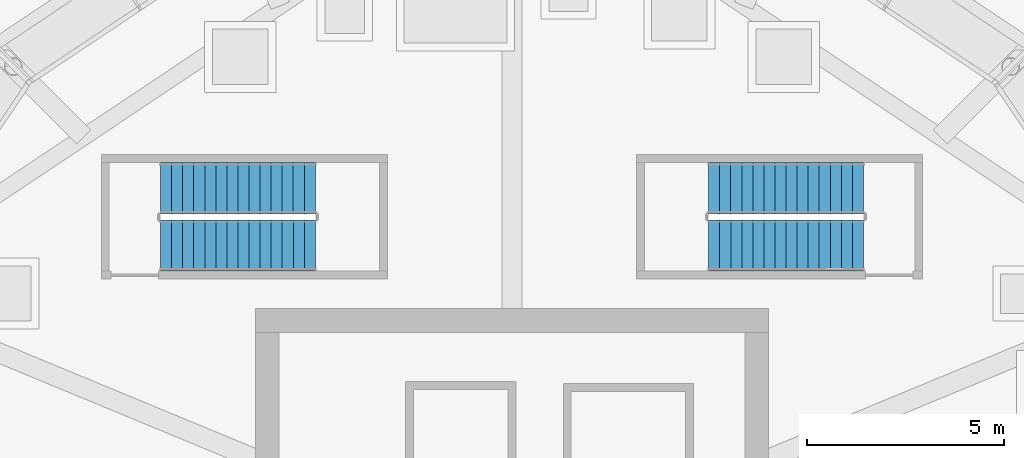
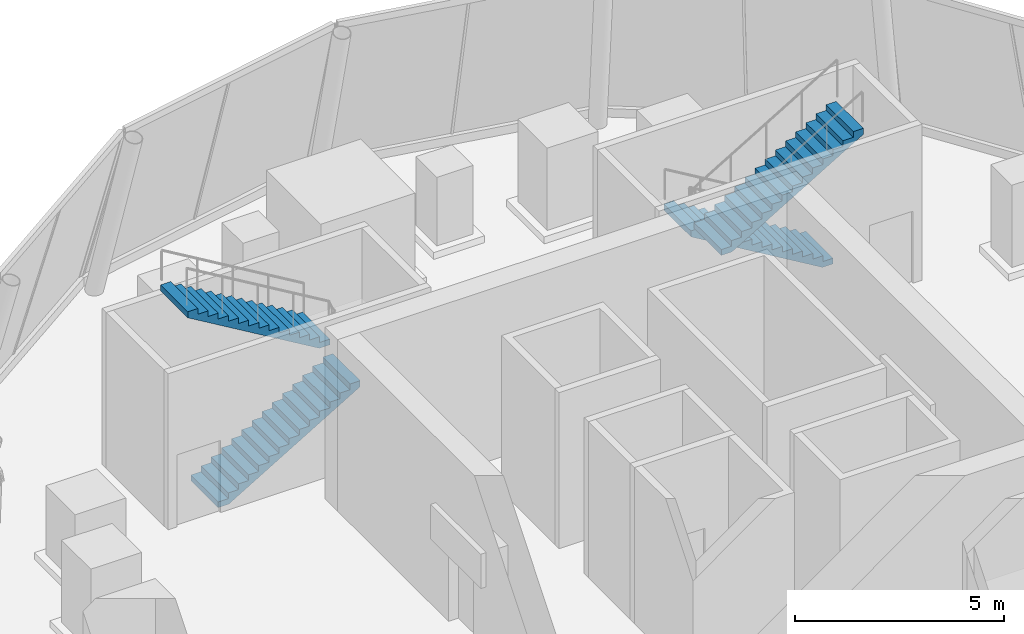
# One storey, part 5 of 7: 4 stair flights, 2 elements without a shape of their own.
"""IFC4 building model written with IfcOpenShell, lengths in metres."""

from ifc_helpers import new_model, si_unit, direction, frame, origin, place, context, subcontext, project, spatial, polyline, outline, extrude, material, type_object, element, aggregate, save


model = new_model("IFC4")

# Units and contexts
model_context = context("Model", 3, precision=1e-05, world=origin(), true_north=direction((0.0, 1.0)))
body_context = subcontext(model_context, "Body", "Model", "MODEL_VIEW")
ifc_project = project(units=[si_unit("LENGTHUNIT", "METRE"), si_unit("AREAUNIT", "SQUARE_METRE"), si_unit("VOLUMEUNIT", "CUBIC_METRE"), si_unit("PLANEANGLEUNIT", "RADIAN"), si_unit("MASSUNIT", "GRAM", prefix="KILO")], contexts=[model_context])

# Site, building, storey
site_placement = place(None, origin())
site = spatial("IfcSite", under=ifc_project, at=site_placement, CompositionType="ELEMENT")
building_placement = place(site_placement, origin())
building = spatial("IfcBuilding", under=site, at=building_placement, Name="Corvane Civic Tower", CompositionType="ELEMENT")
storey_placement = place(building_placement, frame((0.0, 0.0, 387.5)))
storey = spatial("IfcBuildingStorey", under=building, at=storey_placement, Name="L92", CompositionType="ELEMENT", Elevation=387.5)

# Stair, stair flights
ifc_material_1 = material(Name="Concrete C40/50", Category="concrete")
stair_type = type_object("IfcStairType", Name="ST-STAIR-HALFTURN", PredefinedType="HALF_TURN_STAIR", material=ifc_material_1)
stair_1_placement = place(storey_placement, origin())
stair_1 = element("IfcStair", 1, at=stair_1_placement, inside=storey, type_object=stair_type, Name="L92 Exit stair ST1", PredefinedType="HALF_TURN_STAIR")
ifc_material_2 = material(Name="Concrete C40/50", Category="concrete")
stair_flight_type = type_object("IfcStairFlightType", Name="ST-FLIGHT-RC", PredefinedType="STRAIGHT", material=ifc_material_2)
stair_flight_1_placement = place(storey_placement, frame((8.89990234375, 9.550048828125, 0.0), z_axis=(0.0, 0.0, 1.0), x_axis=(-1.0, 0.0, 0.0)))
stair_flight_1 = element("IfcStairFlight", 2, at=stair_flight_1_placement, type_object=stair_flight_type, Name="ST1 flight 1", NumberOfRisers=15, NumberOfTreads=14, PredefinedType="STRAIGHT", RiserHeight=0.166666667, TreadLength=0.28, context=body_context, shape_type="SweptSolid", body=[
    extrude(outline(polyline([(0.0, 0.0), (0.0, 0.166748046875), (0.280029296875, 0.166748046875), (0.280029296875, 0.333251953125), (0.56005859375, 0.333251953125), (0.56005859375, 0.5), (0.840087890625, 0.5), (0.840087890625, 0.666748046875), (1.1201171875, 0.666748046875), (1.1201171875, 0.833251953125), (1.39990234375, 0.833251953125), (1.39990234375, 1.0), (1.679931640625, 1.0), (1.679931640625, 1.166748046875), (1.9599609375, 1.166748046875), (1.9599609375, 1.333251953125), (2.239990234375, 1.333251953125), (2.239990234375, 1.5), (2.52001953125, 1.5), (2.52001953125, 1.666748046875), (2.800048828125, 1.666748046875), (2.800048828125, 1.833251953125), (3.080078125, 1.833251953125), (3.080078125, 2.0), (3.360107421875, 2.0), (3.360107421875, 2.166748046875), (3.639892578125, 2.166748046875), (3.639892578125, 2.333251953125), (3.919921875, 2.333251953125), (3.919921875, 2.5), (3.919921875, 2.158935546875), (0.29296875, 0.0), (0.0, 0.0)])), frame((0.0, 0.64990234375, 0.0), z_axis=(0.0, -1.0, 0.0), x_axis=(1.0, 0.0, 0.0)), (0.0, 0.0, 1.0), 1.300048828125),
])
stair_flight_2_placement = place(storey_placement, frame((4.97998046875, 8.10009765625, 2.5), z_axis=(0.0, 0.0, 1.0), x_axis=(1.0, 0.0, 0.0)))
stair_flight_2 = element("IfcStairFlight", 3, at=stair_flight_2_placement, type_object=stair_flight_type, Name="ST1 flight 2", NumberOfRisers=15, NumberOfTreads=14, PredefinedType="STRAIGHT", RiserHeight=0.166666667, TreadLength=0.28, context=body_context, shape_type="SweptSolid", body=[
    extrude(outline(polyline([(0.0, 0.0), (0.0, 0.166748046875), (0.280029296875, 0.166748046875), (0.280029296875, 0.333251953125), (0.56005859375, 0.333251953125), (0.56005859375, 0.5), (0.840087890625, 0.5), (0.840087890625, 0.666748046875), (1.1201171875, 0.666748046875), (1.1201171875, 0.833251953125), (1.39990234375, 0.833251953125), (1.39990234375, 1.0), (1.679931640625, 1.0), (1.679931640625, 1.166748046875), (1.9599609375, 1.166748046875), (1.9599609375, 1.333251953125), (2.239990234375, 1.333251953125), (2.239990234375, 1.5), (2.52001953125, 1.5), (2.52001953125, 1.666748046875), (2.800048828125, 1.666748046875), (2.800048828125, 1.833251953125), (3.080078125, 1.833251953125), (3.080078125, 2.0), (3.360107421875, 2.0), (3.360107421875, 2.166748046875), (3.639892578125, 2.166748046875), (3.639892578125, 2.333251953125), (3.919921875, 2.333251953125), (3.919921875, 2.5), (3.919921875, 2.158935546875), (0.29296875, 0.0), (0.0, 0.0)])), frame((0.0, 0.64990234375, 0.0), z_axis=(0.0, -1.0, 0.0), x_axis=(1.0, 0.0, 0.0)), (0.0, 0.0, 1.0), 1.300048828125),
])
aggregate(stair_1, [stair_flight_1, stair_flight_2])

stair_2_placement = place(storey_placement, origin())
stair_2 = element("IfcStair", 4, at=stair_2_placement, inside=storey, type_object=stair_type, Name="L92 Exit stair ST4", PredefinedType="HALF_TURN_STAIR")
stair_flight_3_placement = place(storey_placement, frame((-8.89990234375, 8.10009765625, 0.0), z_axis=(0.0, 0.0, 1.0), x_axis=(1.0, 0.0, 0.0)))
stair_flight_3 = element("IfcStairFlight", 5, at=stair_flight_3_placement, type_object=stair_flight_type, Name="ST4 flight 1", NumberOfRisers=15, NumberOfTreads=14, PredefinedType="STRAIGHT", RiserHeight=0.166666667, TreadLength=0.28, context=body_context, shape_type="SweptSolid", body=[
    extrude(outline(polyline([(0.0, 0.0), (0.0, 0.166748046875), (0.280029296875, 0.166748046875), (0.280029296875, 0.333251953125), (0.56005859375, 0.333251953125), (0.56005859375, 0.5), (0.840087890625, 0.5), (0.840087890625, 0.666748046875), (1.1201171875, 0.666748046875), (1.1201171875, 0.833251953125), (1.39990234375, 0.833251953125), (1.39990234375, 1.0), (1.679931640625, 1.0), (1.679931640625, 1.166748046875), (1.9599609375, 1.166748046875), (1.9599609375, 1.333251953125), (2.239990234375, 1.333251953125), (2.239990234375, 1.5), (2.52001953125, 1.5), (2.52001953125, 1.666748046875), (2.800048828125, 1.666748046875), (2.800048828125, 1.833251953125), (3.080078125, 1.833251953125), (3.080078125, 2.0), (3.360107421875, 2.0), (3.360107421875, 2.166748046875), (3.639892578125, 2.166748046875), (3.639892578125, 2.333251953125), (3.919921875, 2.333251953125), (3.919921875, 2.5), (3.919921875, 2.158935546875), (0.29296875, 0.0), (0.0, 0.0)])), frame((0.0, 0.64990234375, 0.0), z_axis=(0.0, -1.0, 0.0), x_axis=(1.0, 0.0, 0.0)), (0.0, 0.0, 1.0), 1.300048828125),
])
stair_flight_4_placement = place(storey_placement, frame((-4.97998046875, 9.550048828125, 2.5), z_axis=(0.0, 0.0, 1.0), x_axis=(-1.0, 0.0, 0.0)))
stair_flight_4 = element("IfcStairFlight", 6, at=stair_flight_4_placement, type_object=stair_flight_type, Name="ST4 flight 2", NumberOfRisers=15, NumberOfTreads=14, PredefinedType="STRAIGHT", RiserHeight=0.166666667, TreadLength=0.28, context=body_context, shape_type="SweptSolid", body=[
    extrude(outline(polyline([(0.0, 0.0), (0.0, 0.166748046875), (0.280029296875, 0.166748046875), (0.280029296875, 0.333251953125), (0.56005859375, 0.333251953125), (0.56005859375, 0.5), (0.840087890625, 0.5), (0.840087890625, 0.666748046875), (1.1201171875, 0.666748046875), (1.1201171875, 0.833251953125), (1.39990234375, 0.833251953125), (1.39990234375, 1.0), (1.679931640625, 1.0), (1.679931640625, 1.166748046875), (1.9599609375, 1.166748046875), (1.9599609375, 1.333251953125), (2.239990234375, 1.333251953125), (2.239990234375, 1.5), (2.52001953125, 1.5), (2.52001953125, 1.666748046875), (2.800048828125, 1.666748046875), (2.800048828125, 1.833251953125), (3.080078125, 1.833251953125), (3.080078125, 2.0), (3.360107421875, 2.0), (3.360107421875, 2.166748046875), (3.639892578125, 2.166748046875), (3.639892578125, 2.333251953125), (3.919921875, 2.333251953125), (3.919921875, 2.5), (3.919921875, 2.158935546875), (0.29296875, 0.0), (0.0, 0.0)])), frame((0.0, 0.64990234375, 0.0), z_axis=(0.0, -1.0, 0.0), x_axis=(1.0, 0.0, 0.0)), (0.0, 0.0, 1.0), 1.300048828125),
])
aggregate(stair_2, [stair_flight_3, stair_flight_4])

save(model, "model.ifc")
